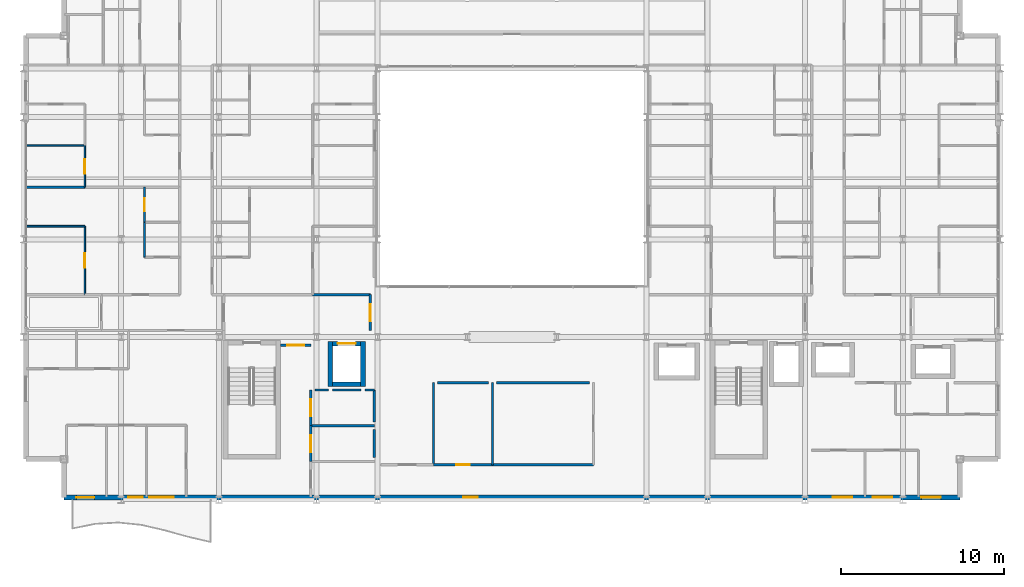
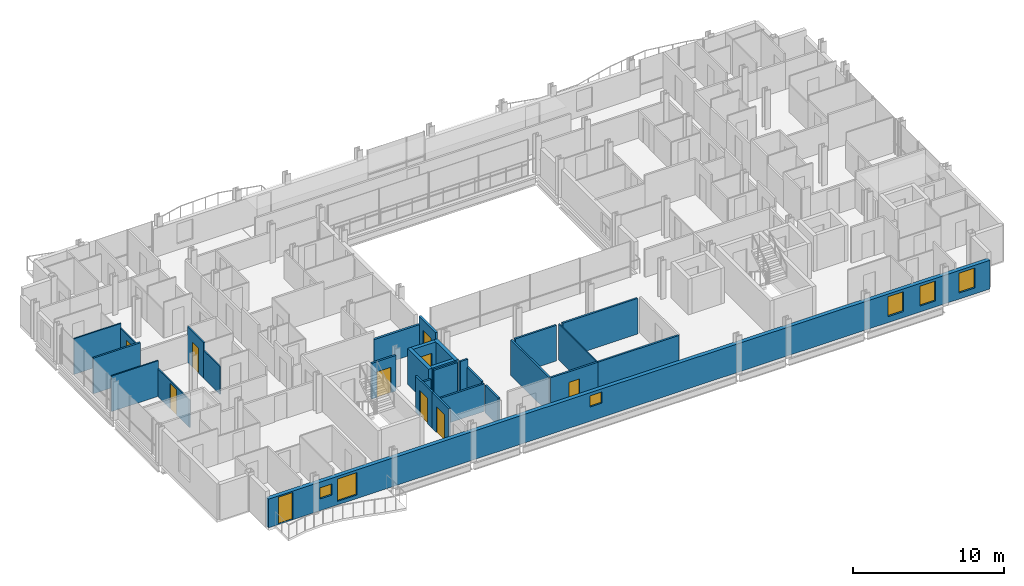
# One storey, part 32 of 40: 29 walls, 10 doors, 6 windows, 16 openings.
"""IFC4 building model written with IfcOpenShell, lengths in metres."""

from ifc_helpers import new_model, si_unit, direction, frame, frame_2d, origin, place, context, subcontext, project, spatial, rectangle, extrude, material, layer, layer_set, type_object, element, fill, save


model = new_model("IFC4")

# Units and contexts
model_context = context("Model", 3, precision=1e-05, world=origin(), true_north=direction((0.0, 1.0)))
body_context = subcontext(model_context, "Body", "Model", "MODEL_VIEW")
ifc_project = project(units=[si_unit("LENGTHUNIT", "METRE"), si_unit("AREAUNIT", "SQUARE_METRE"), si_unit("VOLUMEUNIT", "CUBIC_METRE"), si_unit("PLANEANGLEUNIT", "RADIAN"), si_unit("MASSUNIT", "GRAM", prefix="KILO")], contexts=[model_context])

# Site, building, storey
site_placement = place(None, origin())
site = spatial("IfcSite", under=ifc_project, at=site_placement, CompositionType="ELEMENT")
building_placement = place(site_placement, origin())
building = spatial("IfcBuilding", under=site, at=building_placement, Name="Brevholm Reach", CompositionType="ELEMENT")
storey_placement = place(building_placement, frame((0.0, 0.0, 80.699951171875)))
storey = spatial("IfcBuildingStorey", under=building, at=storey_placement, Name="L23", CompositionType="ELEMENT", Elevation=80.699951171875)

# Walls
ifc_material_1 = material(Name="Concrete C50/60", Category="concrete")
ifc_layer_1 = layer(ifc_material_1, 0.280029296875)
ifc_layer_set_1 = layer_set([ifc_layer_1], Name="Concrete C50/60")
wall_type_1 = type_object("IfcWallType", Name="WAL-COR-280", PredefinedType="SHEAR", material=ifc_layer_set_1)
for number, where, z_axis, x_axis, name in (
    (1, (18.85009765625, 6.9599609375, 0.0), (0.0, 0.0, 1.0), (0.0, 1.0, 0.0), "L23 Lift FFL-1 Shaft Wall W"),
    (2, (20.85009765625, 6.9599609375, 0.0), (0.0, 0.0, 1.0), (0.0, 1.0, 0.0), "L23 Lift FFL-1 Shaft Wall E"),
):
    element("IfcWall", number, at=place(storey_placement, frame(where, z_axis=z_axis, x_axis=x_axis)), inside=storey, type_object=wall_type_1, Name=name, PredefinedType="SHEAR", context=body_context, shape_type="SweptSolid", body=[
        extrude(rectangle(XDim=2.780029296875, YDim=0.280029296875, at=frame_2d((1.39013671875, 0.0))), origin(), (0.0, 0.0, 1.0), 2.8701171875),
    ])
wall_1_placement = place(storey_placement, frame((18.989990234375, 7.10009765625, 0.0), z_axis=(0.0, 0.0, 1.0), x_axis=(1.0, 0.0, 0.0)))
element("IfcWall", 3, at=wall_1_placement, inside=storey, type_object=wall_type_1, Name="L23 Lift FFL-1 Shaft Wall S", PredefinedType="SHEAR", context=body_context, shape_type="SweptSolid", body=[
    extrude(rectangle(XDim=1.719970703125, YDim=0.280029296875, at=frame_2d((0.85986328125, 0.0))), origin(), (0.0, 0.0, 1.0), 2.8701171875),
])

# Wall, opening, door
wall_2_placement = place(storey_placement, frame((18.989990234375, 9.60009765625, 0.0), z_axis=(0.0, 0.0, 1.0), x_axis=(1.0, 0.0, 0.0)))
wall_2 = element("IfcWall", 4, at=wall_2_placement, inside=storey, type_object=wall_type_1, Name="L23 Lift FFL-1 Shaft Wall N", PredefinedType="SHEAR", context=body_context, shape_type="SweptSolid", body=[
    extrude(rectangle(XDim=1.719970703125, YDim=0.280029296875, at=frame_2d((0.85986328125, 0.0))), origin(), (0.0, 0.0, 1.0), 2.8701171875),
])
opening_1_placement = place(wall_2_placement, frame((0.31005859375, 0.0, 0.0)))
opening_1 = element("IfcOpeningElement", 5, at=opening_1_placement, cuts=wall_2, Name="Opening LD-FFL-1", PredefinedType="OPENING", context=body_context, shape_type="SweptSolid", body=[
    extrude(rectangle(XDim=1.10009765625, YDim=2.06005859375, at=frame_2d((0.550048828125, 1.030029296875))), frame((0.0, 0.14990234375, 0.0), z_axis=(0.0, -1.0, 0.0), x_axis=(1.0, 0.0, 0.0)), (0.0, 0.0, 1.0), 0.300048828125),
])
ifc_material_2 = material(Name="Brushed Stainless Steel Fire-Rated Sliding Lift Door", Category="steel")
door_type_1 = type_object("IfcDoorType", Name="DOR-LFT-1100", OperationType="NOTDEFINED", PredefinedType="DOOR", material=ifc_material_2)
door_1_placement = place(opening_1_placement, origin())
door_1 = element("IfcDoor", 6, at=door_1_placement, inside=storey, type_object=door_type_1, Name="L23 Lift FFL-1 Sliding Landing Door", OperationType="SLIDING_TO_LEFT", OverallHeight=2.06005859375, OverallWidth=1.10009765625, PredefinedType="DOOR", context=body_context, shape_type="SweptSolid", body=[
    extrude(rectangle(XDim=1.10009765625, YDim=2.06005859375, at=frame_2d((0.550048828125, 1.030029296875))), frame((0.0, 0.02490234375, 0.0), z_axis=(0.0, -1.0, 0.0), x_axis=(1.0, 0.0, 0.0)), (0.0, 0.0, 1.0), 0.050048828125),
])
fill(opening_1, door_1)

# Wall, openings, door, windows
ifc_material_3 = material(Name="Concrete C40/50", Category="concrete")
ifc_layer_2 = layer(ifc_material_3, 0.300048828125)
ifc_layer_set_2 = layer_set([ifc_layer_2], Name="Concrete C40/50")
wall_type_2 = type_object("IfcWallType", Name="WAL-EXT-300", PredefinedType="STANDARD", material=ifc_layer_set_2)
wall_3_placement = place(storey_placement, frame((2.5, 0.14990234375, 0.0), z_axis=(0.0, 0.0, 1.0), x_axis=(1.0, 0.0, 0.0)))
wall_3 = element("IfcWall", 7, at=wall_3_placement, inside=storey, type_object=wall_type_2, Name="L23 Facade Wall WAL-L23-S", PredefinedType="STANDARD", context=body_context, shape_type="SweptSolid", body=[
    extrude(rectangle(XDim=55.0, YDim=0.300048828125, at=frame_2d((27.5, 0.0))), origin(), (0.0, 0.0, 1.0), 2.3056640625),
])
opening_2_placement = place(wall_3_placement, frame((0.75, 0.0, 0.0)))
opening_2 = element("IfcOpeningElement", 8, at=opening_2_placement, cuts=wall_3, Name="Opening BD-01", PredefinedType="OPENING", context=body_context, shape_type="SweptSolid", body=[
    extrude(rectangle(XDim=1.10009765625, YDim=2.199951171875, at=frame_2d((0.550048828125, 1.10009765625))), frame((0.0, 0.159912109375, 0.0), z_axis=(0.0, -1.0, 0.0), x_axis=(1.0, 0.0, 0.0)), (0.0, 0.0, 1.0), 0.320068359375),
])
opening_3_placement = place(wall_3_placement, frame((5.22998046875, 0.0, 0.284912109375)))
opening_3 = element("IfcOpeningElement", 9, at=opening_3_placement, cuts=wall_3, Name="Opening WN-05", PredefinedType="OPENING", context=body_context, shape_type="SweptSolid", body=[
    extrude(rectangle(XDim=1.5, YDim=1.800048828125, at=frame_2d((0.75, 0.89990234375))), frame((0.0, 0.159912109375, 0.0), z_axis=(0.0, -1.0, 0.0), x_axis=(1.0, 0.0, 0.0)), (0.0, 0.0, 1.0), 0.320068359375),
])
opening_4_placement = place(wall_3_placement, frame((24.5, 0.0, 1.14990234375)))
opening_4 = element("IfcOpeningElement", 10, at=opening_4_placement, cuts=wall_3, Name="Opening WN-09", PredefinedType="OPENING", context=body_context, shape_type="SweptSolid", body=[
    extrude(rectangle(XDim=0.89990234375, YDim=0.89990234375, at=frame_2d((0.449951171875, 0.449951171875))), frame((0.0, 0.159912109375, 0.0), z_axis=(0.0, -1.0, 0.0), x_axis=(1.0, 0.0, 0.0)), (0.0, 0.0, 1.0), 0.320068359375),
])
opening_5_placement = place(wall_3_placement, frame((47.199951171875, 0.0, 0.485107421875)))
opening_5 = element("IfcOpeningElement", 11, at=opening_5_placement, cuts=wall_3, Name="Opening WN-08", PredefinedType="OPENING", context=body_context, shape_type="SweptSolid", body=[
    extrude(rectangle(XDim=1.199951171875, YDim=1.60009765625, at=frame_2d((0.60009765625, 0.800048828125))), frame((0.0, 0.159912109375, 0.0), z_axis=(0.0, -1.0, 0.0), x_axis=(1.0, 0.0, 0.0)), (0.0, 0.0, 1.0), 0.320068359375),
])
opening_6_placement = place(wall_3_placement, frame((52.6298828125, 0.0, 0.485107421875)))
opening_6 = element("IfcOpeningElement", 12, at=opening_6_placement, cuts=wall_3, Name="Opening WN-08", PredefinedType="OPENING", context=body_context, shape_type="SweptSolid", body=[
    extrude(rectangle(XDim=1.199951171875, YDim=1.60009765625, at=frame_2d((0.60009765625, 0.800048828125))), frame((0.0, 0.159912109375, 0.0), z_axis=(0.0, -1.0, 0.0), x_axis=(1.0, 0.0, 0.0)), (0.0, 0.0, 1.0), 0.320068359375),
])
opening_7_placement = place(wall_3_placement, frame((3.923828125, 0.0, 0.949951171875)))
opening_7 = element("IfcOpeningElement", 13, at=opening_7_placement, cuts=wall_3, Name="Opening WN-09", PredefinedType="OPENING", context=body_context, shape_type="SweptSolid", body=[
    extrude(rectangle(XDim=0.89990234375, YDim=0.89990234375, at=frame_2d((0.449951171875, 0.449951171875))), frame((0.0, 0.159912109375, 0.0), z_axis=(0.0, -1.0, 0.0), x_axis=(1.0, 0.0, 0.0)), (0.0, 0.0, 1.0), 0.320068359375),
])
opening_8_placement = place(wall_3_placement, frame((49.638671875, 0.0, 0.485595703125)))
opening_8 = element("IfcOpeningElement", 14, at=opening_8_placement, cuts=wall_3, Name="Opening WN-08", PredefinedType="OPENING", context=body_context, shape_type="SweptSolid", body=[
    extrude(rectangle(XDim=1.199951171875, YDim=1.60009765625, at=frame_2d((0.60009765625, 0.800048828125))), frame((0.0, 0.159912109375, 0.0), z_axis=(0.0, -1.0, 0.0), x_axis=(1.0, 0.0, 0.0)), (0.0, 0.0, 1.0), 0.320068359375),
])
ifc_material_4 = material(Name="Dark Anodised Aluminium and Triple-Glazed Glass", Category="aluminium")
door_type_2 = type_object("IfcDoorType", Name="DOR-BALC-1100", OperationType="NOTDEFINED", PredefinedType="DOOR", material=ifc_material_4)
door_2_placement = place(opening_2_placement, origin())
door_2 = element("IfcDoor", 15, at=door_2_placement, inside=storey, type_object=door_type_2, Name="L23 Exterior Door DOR-L23-BL-SW", OperationType="SINGLE_SWING_RIGHT", OverallHeight=2.199951171875, OverallWidth=1.10009765625, PredefinedType="DOOR", context=body_context, shape_type="SweptSolid", body=[
    extrude(rectangle(XDim=1.10009765625, YDim=2.199951171875, at=frame_2d((0.550048828125, 1.10009765625))), frame((0.0, 0.02490234375, 0.0), z_axis=(0.0, -1.0, 0.0), x_axis=(1.0, 0.0, 0.0)), (0.0, 0.0, 1.0), 0.050048828125),
])
fill(opening_2, door_2)
ifc_material_5 = material(Name="Dark Anodised Aluminium and Solar-Control IGU Glass", Category="aluminium")
window_type_1 = type_object("IfcWindowType", Name="WIN-POR-0900", PartitioningType="SINGLE_PANEL", PredefinedType="WINDOW", material=ifc_material_5)
window_1_placement = place(opening_4_placement, origin())
window_1 = element("IfcWindow", 16, at=window_1_placement, inside=storey, type_object=window_type_1, Name="L23 Window WIN-L23-S-POR", OverallHeight=0.89990234375, OverallWidth=0.89990234375, PartitioningType="SINGLE_PANEL", PredefinedType="WINDOW", context=body_context, shape_type="SweptSolid", body=[
    extrude(rectangle(XDim=0.89990234375, YDim=0.89990234375, at=frame_2d((0.449951171875, 0.449951171875))), frame((0.0, 0.030029296875, 0.0), z_axis=(0.0, -1.0, 0.0), x_axis=(1.0, 0.0, 0.0)), (0.0, 0.0, 1.0), 0.06005859375),
])
fill(opening_4, window_1)
window_2_placement = place(opening_7_placement, origin())
window_2 = element("IfcWindow", 17, at=window_2_placement, inside=storey, type_object=window_type_1, Name="L23 Bedroom Window 026", OverallHeight=0.89990234375, OverallWidth=0.89990234375, PartitioningType="SINGLE_PANEL", PredefinedType="WINDOW", context=body_context, shape_type="SweptSolid", body=[
    extrude(rectangle(XDim=0.89990234375, YDim=0.89990234375, at=frame_2d((0.449951171875, 0.449951171875))), frame((0.0, 0.030029296875, 0.0), z_axis=(0.0, -1.0, 0.0), x_axis=(1.0, 0.0, 0.0)), (0.0, 0.0, 1.0), 0.06005859375),
])
fill(opening_7, window_2)
ifc_material_6 = material(Name="Dark Anodised Aluminium and Solar-Control IGU Glass", Category="aluminium")
window_type_2 = type_object("IfcWindowType", Name="WIN-RES-1200", PartitioningType="SINGLE_PANEL", PredefinedType="WINDOW", material=ifc_material_6)
window_3_placement = place(opening_5_placement, origin())
window_3 = element("IfcWindow", 18, at=window_3_placement, inside=storey, type_object=window_type_2, Name="L23 Window WIN-L23-S-E1", OverallHeight=1.60009765625, OverallWidth=1.199951171875, PartitioningType="SINGLE_PANEL", PredefinedType="WINDOW", context=body_context, shape_type="SweptSolid", body=[
    extrude(rectangle(XDim=1.199951171875, YDim=1.60009765625, at=frame_2d((0.60009765625, 0.800048828125))), frame((0.0, 0.030029296875, 0.0), z_axis=(0.0, -1.0, 0.0), x_axis=(1.0, 0.0, 0.0)), (0.0, 0.0, 1.0), 0.06005859375),
])
fill(opening_5, window_3)
window_4_placement = place(opening_6_placement, origin())
window_4 = element("IfcWindow", 19, at=window_4_placement, inside=storey, type_object=window_type_2, Name="L23 Window WIN-L23-S-E2", OverallHeight=1.60009765625, OverallWidth=1.199951171875, PartitioningType="SINGLE_PANEL", PredefinedType="WINDOW", context=body_context, shape_type="SweptSolid", body=[
    extrude(rectangle(XDim=1.199951171875, YDim=1.60009765625, at=frame_2d((0.60009765625, 0.800048828125))), frame((0.0, 0.030029296875, 0.0), z_axis=(0.0, -1.0, 0.0), x_axis=(1.0, 0.0, 0.0)), (0.0, 0.0, 1.0), 0.06005859375),
])
fill(opening_6, window_4)
window_5_placement = place(opening_8_placement, origin())
window_5 = element("IfcWindow", 20, at=window_5_placement, inside=storey, type_object=window_type_2, Name="L23 Bedroom Window 027", OverallHeight=1.60009765625, OverallWidth=1.199951171875, PartitioningType="SINGLE_PANEL", PredefinedType="WINDOW", context=body_context, shape_type="SweptSolid", body=[
    extrude(rectangle(XDim=1.199951171875, YDim=1.60009765625, at=frame_2d((0.60009765625, 0.800048828125))), frame((0.0, 0.030029296875, 0.0), z_axis=(0.0, -1.0, 0.0), x_axis=(1.0, 0.0, 0.0)), (0.0, 0.0, 1.0), 0.06005859375),
])
fill(opening_8, window_5)
ifc_material_7 = material(Name="Dark Anodised Aluminium and Solar-Control IGU Glass", Category="aluminium")
window_type_3 = type_object("IfcWindowType", Name="WIN-RES-1500", PartitioningType="SINGLE_PANEL", PredefinedType="WINDOW", material=ifc_material_7)
window_6_placement = place(opening_3_placement, origin())
window_6 = element("IfcWindow", 21, at=window_6_placement, inside=storey, type_object=window_type_3, Name="L23 Window WIN-L23-S-W1", OverallHeight=1.800048828125, OverallWidth=1.5, PartitioningType="SINGLE_PANEL", PredefinedType="WINDOW", context=body_context, shape_type="SweptSolid", body=[
    extrude(rectangle(XDim=1.5, YDim=1.800048828125, at=frame_2d((0.75, 0.89990234375))), frame((0.0, 0.030029296875, 0.0), z_axis=(0.0, -1.0, 0.0), x_axis=(1.0, 0.0, 0.0)), (0.0, 0.0, 1.0), 0.06005859375),
])
fill(opening_3, window_6)

# Wall
ifc_material_8 = material(Name="Moisture-Resistant Acoustic Gypsum Stud Partition 100 mm", Category="gypsum")
ifc_layer_3 = layer(ifc_material_8, 0.10009765625)
ifc_layer_set_3 = layer_set([ifc_layer_3], Name="Moisture-Resistant Acoustic Gypsum Stud Partition 100 mm")
wall_type_3 = type_object("IfcWallType", Name="WAL-PRT-100", PredefinedType="PARTITIONING", material=ifc_layer_set_3)
wall_4_placement = place(storey_placement, frame((28.800048828125, 2.154052734375, 0.0), z_axis=(0.0, 0.0, 1.0), x_axis=(0.0, 1.0, 0.0)))
element("IfcWall", 22, at=wall_4_placement, inside=storey, type_object=wall_type_3, Name="L23 Internal Partition 006", PredefinedType="PARTITIONING", context=body_context, shape_type="SweptSolid", body=[
    extrude(rectangle(XDim=5.0458984375, YDim=0.10009765625, at=frame_2d((2.52294921875, 0.0))), origin(), (0.0, 0.0, 1.0), 2.8701171875),
])

# Wall, opening, door
wall_5_placement = place(storey_placement, frame((7.43798828125, 17.050048828125, 0.0), z_axis=(0.0, 0.0, 1.0), x_axis=(0.0, 1.0, 0.0)))
wall_5 = element("IfcWall", 23, at=wall_5_placement, inside=storey, type_object=wall_type_3, Name="L23 Internal Partition 092", PredefinedType="PARTITIONING", context=body_context, shape_type="SweptSolid", body=[
    extrude(rectangle(XDim=2.14990234375, YDim=0.10009765625, at=frame_2d((1.074951171875, 0.0))), origin(), (0.0, 0.0, 1.0), 2.8701171875),
])
opening_9_placement = place(wall_5_placement, frame((0.6650390625, 0.0, 0.0)))
opening_9 = element("IfcOpeningElement", 24, at=opening_9_placement, cuts=wall_5, Name="Opening ID-03", PredefinedType="OPENING", context=body_context, shape_type="SweptSolid", body=[
    extrude(rectangle(XDim=0.820068359375, YDim=2.02001953125, at=frame_2d((0.41015625, 1.010009765625))), frame((0.0, 0.06005859375, 0.0), z_axis=(0.0, -1.0, 0.0), x_axis=(1.0, 0.0, 0.0)), (0.0, 0.0, 1.0), 0.1201171875),
])
ifc_material_9 = material(Name="Moisture-Resistant Painted Timber Internal Bathroom Door", Category="wood")
door_type_3 = type_object("IfcDoorType", Name="DOR-BATH-820", OperationType="NOTDEFINED", PredefinedType="DOOR", material=ifc_material_9)
door_3_placement = place(opening_9_placement, origin())
door_3 = element("IfcDoor", 25, at=door_3_placement, inside=storey, type_object=door_type_3, Name="L23 Internal Door 036", OperationType="SINGLE_SWING_LEFT", OverallHeight=2.02001953125, OverallWidth=0.820068359375, PredefinedType="DOOR", context=body_context, shape_type="SweptSolid", body=[
    extrude(rectangle(XDim=0.820068359375, YDim=2.02001953125, at=frame_2d((0.41015625, 1.010009765625))), frame((0.0, 0.02490234375, 0.0), z_axis=(0.0, -1.0, 0.0), x_axis=(1.0, 0.0, 0.0)), (0.0, 0.0, 1.0), 0.050048828125),
])
fill(opening_9, door_3)

# Wall
wall_6_placement = place(storey_placement, frame((7.43798828125, 14.89990234375, 0.0), z_axis=(0.0, 0.0, 1.0), x_axis=(0.0, 1.0, 0.0)))
element("IfcWall", 26, at=wall_6_placement, inside=storey, type_object=wall_type_3, Name="L23 Internal Partition 095", PredefinedType="PARTITIONING", context=body_context, shape_type="SweptSolid", body=[
    extrude(rectangle(XDim=2.14599609375, YDim=0.10009765625, at=frame_2d((1.072998046875, 0.0))), origin(), (0.0, 0.0, 1.0), 2.224853515625),
])

# Wall, opening, door
wall_7_placement = place(storey_placement, frame((3.77197265625, 12.60400390625, 0.0), z_axis=(0.0, 0.0, 1.0), x_axis=(0.0, 1.0, 0.0)))
wall_7 = element("IfcWall", 27, at=wall_7_placement, inside=storey, type_object=wall_type_3, Name="L23 Internal Partition 096", PredefinedType="PARTITIONING", context=body_context, shape_type="SweptSolid", body=[
    extrude(rectangle(XDim=4.196044921875, YDim=0.10009765625, at=frame_2d((2.09814453125, 0.0))), origin(), (0.0, 0.0, 1.0), 2.224853515625),
])
opening_10_placement = place(wall_7_placement, frame((1.657958984375, 0.0, 0.0)))
opening_10 = element("IfcOpeningElement", 28, at=opening_10_placement, cuts=wall_7, Name="Opening ID-01", PredefinedType="OPENING", context=body_context, shape_type="SweptSolid", body=[
    extrude(rectangle(XDim=0.8798828125, YDim=2.0400390625, at=frame_2d((0.43994140625, 1.02001953125))), frame((0.0, 0.06005859375, 0.0), z_axis=(0.0, -1.0, 0.0), x_axis=(1.0, 0.0, 0.0)), (0.0, 0.0, 1.0), 0.1201171875),
])
ifc_material_10 = material(Name="Lacquered Ash Solid-Core Acoustic Internal Door", Category="timber")
door_type_4 = type_object("IfcDoorType", Name="DOR-INT-880", OperationType="NOTDEFINED", PredefinedType="DOOR", material=ifc_material_10)
door_4_placement = place(opening_10_placement, origin())
door_4 = element("IfcDoor", 29, at=door_4_placement, inside=storey, type_object=door_type_4, Name="L23 Internal Door 038", OperationType="SINGLE_SWING_LEFT", OverallHeight=2.0400390625, OverallWidth=0.8798828125, PredefinedType="DOOR", context=body_context, shape_type="SweptSolid", body=[
    extrude(rectangle(XDim=0.8798828125, YDim=2.0400390625, at=frame_2d((0.43994140625, 1.02001953125))), frame((0.0, 0.02490234375, 0.0), z_axis=(0.0, -1.0, 0.0), x_axis=(1.0, 0.0, 0.0)), (0.0, 0.0, 1.0), 0.050048828125),
])
fill(opening_10, door_4)

# Walls
for number, where, z_axis, x_axis, name in (
    (30, (0.199951171875, 16.800048828125, 0.0), (0.0, 0.0, 1.0), (1.0, 0.0, 0.0), "L23 Internal Partition 097"),
    (31, (0.199951171875, 21.75, 0.0), (0.0, 0.0, 1.0), (1.0, 0.0, 0.0), "L23 Internal Partition 105"),
):
    element("IfcWall", number, at=place(storey_placement, frame(where, z_axis=z_axis, x_axis=x_axis)), inside=storey, type_object=wall_type_3, Name=name, PredefinedType="PARTITIONING", context=body_context, shape_type="SweptSolid", body=[
        extrude(rectangle(XDim=3.572021484375, YDim=0.10009765625, at=frame_2d((1.7861328125, 0.0))), origin(), (0.0, 0.0, 1.0), 2.8701171875),
    ])

# Wall, opening, door
wall_8_placement = place(storey_placement, frame((3.77197265625, 19.2041015625, 0.0), z_axis=(0.0, 0.0, 1.0), x_axis=(0.0, 1.0, 0.0)))
wall_8 = element("IfcWall", 32, at=wall_8_placement, inside=storey, type_object=wall_type_3, Name="L23 Internal Partition 106", PredefinedType="PARTITIONING", context=body_context, shape_type="SweptSolid", body=[
    extrude(rectangle(XDim=2.5458984375, YDim=0.10009765625, at=frame_2d((1.27294921875, 0.0))), origin(), (0.0, 0.0, 1.0), 2.489990234375),
])
opening_11_placement = place(wall_8_placement, frame((0.8330078125, 0.0, 0.0)))
opening_11 = element("IfcOpeningElement", 33, at=opening_11_placement, cuts=wall_8, Name="Opening ID-01", PredefinedType="OPENING", context=body_context, shape_type="SweptSolid", body=[
    extrude(rectangle(XDim=0.8798828125, YDim=2.0400390625, at=frame_2d((0.43994140625, 1.02001953125))), frame((0.0, 0.06005859375, 0.0), z_axis=(0.0, -1.0, 0.0), x_axis=(1.0, 0.0, 0.0)), (0.0, 0.0, 1.0), 0.1201171875),
])
door_5_placement = place(opening_11_placement, origin())
door_5 = element("IfcDoor", 34, at=door_5_placement, inside=storey, type_object=door_type_4, Name="L23 Internal Door 041", OperationType="SINGLE_SWING_RIGHT", OverallHeight=2.0400390625, OverallWidth=0.8798828125, PredefinedType="DOOR", context=body_context, shape_type="SweptSolid", body=[
    extrude(rectangle(XDim=0.8798828125, YDim=2.0400390625, at=frame_2d((0.43994140625, 1.02001953125))), frame((0.0, 0.02490234375, 0.0), z_axis=(0.0, -1.0, 0.0), x_axis=(1.0, 0.0, 0.0)), (0.0, 0.0, 1.0), 0.050048828125),
])
fill(opening_11, door_5)

ifc_material_11 = material(Name="Twin-Stud Acoustic Fire-Rated Gypsum Partition 140 mm", Category="gypsum")
ifc_layer_4 = layer(ifc_material_11, 0.139892578125)
ifc_layer_set_4 = layer_set([ifc_layer_4], Name="Twin-Stud Acoustic Fire-Rated Gypsum Partition 140 mm")
wall_type_4 = type_object("IfcWallType", Name="WAL-PRT-140", PredefinedType="PARTITIONING", material=ifc_layer_set_4)
wall_9_placement = place(storey_placement, frame((25.172607421875, 2.14990234375, 0.0), z_axis=(0.0, 0.0, 1.0), x_axis=(1.0, 0.0, 0.0)))
wall_9 = element("IfcWall", 35, at=wall_9_placement, inside=storey, type_object=wall_type_4, Name="L23 Internal Partition 003", PredefinedType="PARTITIONING", context=body_context, shape_type="SweptSolid", body=[
    extrude(rectangle(XDim=3.638671875, YDim=0.139892578125, at=frame_2d((1.8193359375, 0.0))), origin(), (0.0, 0.0, 1.0), 2.8701171875),
])
opening_12_placement = place(wall_9_placement, frame((1.4091796875, 0.0, 0.0)))
opening_12 = element("IfcOpeningElement", 36, at=opening_12_placement, cuts=wall_9, Name="Opening ID-02", PredefinedType="OPENING", context=body_context, shape_type="SweptSolid", body=[
    extrude(rectangle(XDim=0.820068359375, YDim=2.02001953125, at=frame_2d((0.41015625, 1.010009765625))), frame((0.0, 0.079833984375, 0.0), z_axis=(0.0, -1.0, 0.0), x_axis=(1.0, 0.0, 0.0)), (0.0, 0.0, 1.0), 0.159912109375),
])
ifc_material_12 = material(Name="Moisture-Resistant Painted Timber Fire-Rated Riser and Service Door", Category="wood")
door_type_5 = type_object("IfcDoorType", Name="DOR-SRV-820", OperationType="NOTDEFINED", PredefinedType="DOOR", material=ifc_material_12)
door_6_placement = place(opening_12_placement, origin())
door_6 = element("IfcDoor", 37, at=door_6_placement, inside=storey, type_object=door_type_5, Name="L23 Internal Door 003", OperationType="SINGLE_SWING_RIGHT", OverallHeight=2.02001953125, OverallWidth=0.820068359375, PredefinedType="DOOR", context=body_context, shape_type="SweptSolid", body=[
    extrude(rectangle(XDim=0.820068359375, YDim=2.02001953125, at=frame_2d((0.41015625, 1.010009765625))), frame((0.0, 0.02490234375, 0.0), z_axis=(0.0, -1.0, 0.0), x_axis=(1.0, 0.0, 0.0)), (0.0, 0.0, 1.0), 0.050048828125),
])
fill(opening_12, door_6)

# Walls
wall_10_placement = place(storey_placement, frame((28.792724609375, 2.14990234375, 0.0), z_axis=(0.0, 0.0, 1.0), x_axis=(1.0, 0.0, 0.0)))
element("IfcWall", 38, at=wall_10_placement, inside=storey, type_object=wall_type_4, Name="L23 Internal Partition 004", PredefinedType="PARTITIONING", context=body_context, shape_type="SweptSolid", body=[
    extrude(rectangle(XDim=6.203369140625, YDim=0.139892578125, at=frame_2d((3.1015625, 0.0))), origin(), (0.0, 0.0, 1.0), 2.8701171875),
])
wall_11_placement = place(storey_placement, frame((25.179931640625, 2.154052734375, 0.0), z_axis=(0.0, 0.0, 1.0), x_axis=(0.0, 1.0, 0.0)))
element("IfcWall", 39, at=wall_11_placement, inside=storey, type_object=wall_type_4, Name="L23 Internal Partition 005", PredefinedType="PARTITIONING", context=body_context, shape_type="SweptSolid", body=[
    extrude(rectangle(XDim=5.0458984375, YDim=0.139892578125, at=frame_2d((2.52294921875, 0.0))), origin(), (0.0, 0.0, 1.0), 2.8701171875),
])

# Wall, opening, door
wall_12_placement = place(storey_placement, frame((17.64990234375, 2.3427734375, 0.0), z_axis=(0.0, 0.0, 1.0), x_axis=(0.0, 1.0, 0.0)))
wall_12 = element("IfcWall", 40, at=wall_12_placement, inside=storey, type_object=wall_type_4, Name="L23 Internal Partition 008", PredefinedType="PARTITIONING", context=body_context, shape_type="SweptSolid", body=[
    extrude(rectangle(XDim=2.218505859375, YDim=0.139892578125, at=frame_2d((1.109375, 0.0))), origin(), (0.0, 0.0, 1.0), 2.8701171875),
])
opening_13_placement = place(wall_12_placement, frame((0.584228515625, 0.0, 0.0)))
opening_13 = element("IfcOpeningElement", 41, at=opening_13_placement, cuts=wall_12, Name="Opening FD-01", PredefinedType="OPENING", context=body_context, shape_type="SweptSolid", body=[
    extrude(rectangle(XDim=1.050048828125, YDim=2.06005859375, at=frame_2d((0.52490234375, 1.030029296875))), frame((0.0, 0.079833984375, 0.0), z_axis=(0.0, -1.0, 0.0), x_axis=(1.0, 0.0, 0.0)), (0.0, 0.0, 1.0), 0.159912109375),
])
ifc_material_13 = material(Name="Hardwood-Lipped Steel-Core Fire and Smoke Door", Category="steel")
door_type_6 = type_object("IfcDoorType", Name="DOR-INT-FD60S", OperationType="NOTDEFINED", PredefinedType="DOOR", material=ifc_material_13)
door_7_placement = place(opening_13_placement, origin())
door_7 = element("IfcDoor", 42, at=door_7_placement, inside=storey, type_object=door_type_6, Name="L23 Internal Door 005", OperationType="SINGLE_SWING_RIGHT", OverallHeight=2.06005859375, OverallWidth=1.050048828125, PredefinedType="DOOR", context=body_context, shape_type="SweptSolid", body=[
    extrude(rectangle(XDim=1.050048828125, YDim=2.06005859375, at=frame_2d((0.52490234375, 1.030029296875))), frame((0.0, 0.02490234375, 0.0), z_axis=(0.0, -1.0, 0.0), x_axis=(1.0, 0.0, 0.0)), (0.0, 0.0, 1.0), 0.050048828125),
])
fill(opening_13, door_7)

wall_13_placement = place(storey_placement, frame((17.64990234375, 4.542724609375, 0.0), z_axis=(0.0, 0.0, 1.0), x_axis=(0.0, 1.0, 0.0)))
wall_13 = element("IfcWall", 43, at=wall_13_placement, inside=storey, type_object=wall_type_4, Name="L23 Internal Partition 009", PredefinedType="PARTITIONING", context=body_context, shape_type="SweptSolid", body=[
    extrude(rectangle(XDim=2.218505859375, YDim=0.139892578125, at=frame_2d((1.109375, 0.0))), origin(), (0.0, 0.0, 1.0), 2.8701171875),
])
opening_14_placement = place(wall_13_placement, frame((0.584228515625, 0.0, 0.0)))
opening_14 = element("IfcOpeningElement", 44, at=opening_14_placement, cuts=wall_13, Name="Opening FD-01", PredefinedType="OPENING", context=body_context, shape_type="SweptSolid", body=[
    extrude(rectangle(XDim=1.050048828125, YDim=2.06005859375, at=frame_2d((0.52490234375, 1.030029296875))), frame((0.0, 0.079833984375, 0.0), z_axis=(0.0, -1.0, 0.0), x_axis=(1.0, 0.0, 0.0)), (0.0, 0.0, 1.0), 0.159912109375),
])
door_8_placement = place(opening_14_placement, origin())
door_8 = element("IfcDoor", 45, at=door_8_placement, inside=storey, type_object=door_type_6, Name="L23 Internal Door 006", OperationType="SINGLE_SWING_LEFT", OverallHeight=2.06005859375, OverallWidth=1.050048828125, PredefinedType="DOOR", context=body_context, shape_type="SweptSolid", body=[
    extrude(rectangle(XDim=1.050048828125, YDim=2.06005859375, at=frame_2d((0.52490234375, 1.030029296875))), frame((0.0, 0.02490234375, 0.0), z_axis=(0.0, -1.0, 0.0), x_axis=(1.0, 0.0, 0.0)), (0.0, 0.0, 1.0), 0.050048828125),
])
fill(opening_14, door_8)

# Walls
wall_14_placement = place(storey_placement, frame((17.654052734375, 4.550048828125, 0.0), z_axis=(0.0, 0.0, 1.0), x_axis=(1.0, 0.0, 0.0)))
element("IfcWall", 46, at=wall_14_placement, inside=storey, type_object=wall_type_4, Name="L23 Internal Partition 012", PredefinedType="PARTITIONING", context=body_context, shape_type="SweptSolid", body=[
    extrude(rectangle(XDim=3.89599609375, YDim=0.139892578125, at=frame_2d((1.947998046875, 0.0))), origin(), (0.0, 0.0, 1.0), 2.224853515625),
])
wall_15_placement = place(storey_placement, frame((0.199951171875, 19.199951171875, 0.0), z_axis=(0.0, 0.0, 1.0), x_axis=(1.0, 0.0, 0.0)))
element("IfcWall", 47, at=wall_15_placement, inside=storey, type_object=wall_type_4, Name="L23 Internal Partition 098", PredefinedType="PARTITIONING", context=body_context, shape_type="SweptSolid", body=[
    extrude(rectangle(XDim=3.583251953125, YDim=0.139892578125, at=frame_2d((1.79150390625, 0.0))), origin(), (0.0, 0.0, 1.0), 2.8701171875),
])
wall_16_placement = place(storey_placement, frame((25.419921875, 7.199951171875, 0.0), z_axis=(0.0, 0.0, 1.0), x_axis=(1.0, 0.0, 0.0)))
element("IfcWall", 48, at=wall_16_placement, inside=storey, type_object=wall_type_4, Name="L23 Internal Partition 181", PredefinedType="PARTITIONING", context=body_context, shape_type="SweptSolid", body=[
    extrude(rectangle(XDim=3.14013671875, YDim=0.139892578125, at=frame_2d((1.570068359375, 0.0))), origin(), (0.0, 0.0, 1.0), 2.8701171875),
])
wall_17_placement = place(storey_placement, frame((29.0400390625, 7.199951171875, 0.0), z_axis=(0.0, 0.0, 1.0), x_axis=(1.0, 0.0, 0.0)))
element("IfcWall", 49, at=wall_17_placement, inside=storey, type_object=wall_type_4, Name="L23 Internal Partition 182", PredefinedType="PARTITIONING", context=body_context, shape_type="SweptSolid", body=[
    extrude(rectangle(XDim=5.719970703125, YDim=0.139892578125, at=frame_2d((2.85986328125, 0.0))), origin(), (0.0, 0.0, 1.0), 2.8701171875),
])
wall_18_placement = place(storey_placement, frame((21.550048828125, 2.590087890625, 0.0), z_axis=(0.0, 0.0, 1.0), x_axis=(0.0, 1.0, 0.0)))
element("IfcWall", 50, at=wall_18_placement, inside=storey, type_object=wall_type_4, Name="L23 Internal Partition 183", PredefinedType="PARTITIONING", context=body_context, shape_type="SweptSolid", body=[
    extrude(rectangle(XDim=1.719970703125, YDim=0.139892578125, at=frame_2d((0.85986328125, 0.0))), origin(), (0.0, 0.0, 1.0), 2.224853515625),
])
wall_19_placement = place(storey_placement, frame((21.550048828125, 4.7900390625, 0.0), z_axis=(0.0, 0.0, 1.0), x_axis=(0.0, 1.0, 0.0)))
element("IfcWall", 51, at=wall_19_placement, inside=storey, type_object=wall_type_4, Name="L23 Internal Partition 184", PredefinedType="PARTITIONING", context=body_context, shape_type="SweptSolid", body=[
    extrude(rectangle(XDim=1.9599609375, YDim=0.139892578125, at=frame_2d((0.97998046875, 0.0))), origin(), (0.0, 0.0, 1.0), 2.224853515625),
])
wall_20_placement = place(storey_placement, frame((20.9658203125, 6.75, 0.0), z_axis=(0.0, 0.0, 1.0), x_axis=(1.0, 0.0, 0.0)))
element("IfcWall", 52, at=wall_20_placement, inside=storey, type_object=wall_type_4, Name="L23 Internal Partition 185", PredefinedType="PARTITIONING", context=body_context, shape_type="SweptSolid", body=[
    extrude(rectangle(XDim=0.584228515625, YDim=0.139892578125, at=frame_2d((0.2919921875, 0.0))), origin(), (0.0, 0.0, 1.0), 2.8701171875),
])
wall_21_placement = place(storey_placement, frame((18.9658203125, 6.75, 0.0), z_axis=(0.0, 0.0, 1.0), x_axis=(1.0, 0.0, 0.0)))
element("IfcWall", 53, at=wall_21_placement, inside=storey, type_object=wall_type_4, Name="L23 Internal Partition 186", PredefinedType="PARTITIONING", context=body_context, shape_type="SweptSolid", body=[
    extrude(rectangle(XDim=1.768310546875, YDim=0.139892578125, at=frame_2d((0.88427734375, 0.0))), origin(), (0.0, 0.0, 1.0), 2.8701171875),
])
wall_22_placement = place(storey_placement, frame((17.889892578125, 6.75, 0.0), z_axis=(0.0, 0.0, 1.0), x_axis=(1.0, 0.0, 0.0)))
element("IfcWall", 54, at=wall_22_placement, inside=storey, type_object=wall_type_4, Name="L23 Internal Partition 187", PredefinedType="PARTITIONING", context=body_context, shape_type="SweptSolid", body=[
    extrude(rectangle(XDim=0.84423828125, YDim=0.139892578125, at=frame_2d((0.422119140625, 0.0))), origin(), (0.0, 0.0, 1.0), 2.224853515625),
])

# Wall, opening, door
ifc_material_14 = material(Name="Twin-Frame Fire-Rated Gypsum Board and Mineral Wool 160 mm", Category="gypsum")
ifc_layer_5 = layer(ifc_material_14, 0.159912109375)
ifc_layer_set_5 = layer_set([ifc_layer_5], Name="Twin-Frame Fire-Rated Gypsum Board and Mineral Wool 160 mm")
wall_type_5 = type_object("IfcWallType", Name="WAL-PRT-160", PredefinedType="PARTITIONING", material=ifc_layer_set_5)
wall_23_placement = place(storey_placement, frame((15.800048828125, 9.5, 0.0), z_axis=(0.0, 0.0, 1.0), x_axis=(1.0, 0.0, 0.0)))
wall_23 = element("IfcWall", 55, at=wall_23_placement, inside=storey, type_object=wall_type_5, Name="L23 Internal Partition 010", PredefinedType="PARTITIONING", context=body_context, shape_type="SweptSolid", body=[
    extrude(rectangle(XDim=1.849853515625, YDim=0.159912109375, at=frame_2d((0.9248046875, 0.0))), origin(), (0.0, 0.0, 1.0), 2.8701171875),
])
opening_15_placement = place(wall_23_placement, frame((0.39990234375, 0.0, 0.0)))
opening_15 = element("IfcOpeningElement", 56, at=opening_15_placement, cuts=wall_23, Name="Opening FD-01", PredefinedType="OPENING", context=body_context, shape_type="SweptSolid", body=[
    extrude(rectangle(XDim=1.050048828125, YDim=2.06005859375, at=frame_2d((0.52490234375, 1.030029296875))), frame((0.0, 0.08984375, 0.0), z_axis=(0.0, -1.0, 0.0), x_axis=(1.0, 0.0, 0.0)), (0.0, 0.0, 1.0), 0.179931640625),
])
door_9_placement = place(opening_15_placement, origin())
door_9 = element("IfcDoor", 57, at=door_9_placement, inside=storey, type_object=door_type_6, Name="L23 Internal Door 007", OperationType="SINGLE_SWING_RIGHT", OverallHeight=2.06005859375, OverallWidth=1.050048828125, PredefinedType="DOOR", context=body_context, shape_type="SweptSolid", body=[
    extrude(rectangle(XDim=1.050048828125, YDim=2.06005859375, at=frame_2d((0.52490234375, 1.030029296875))), frame((0.0, 0.02490234375, 0.0), z_axis=(0.0, -1.0, 0.0), x_axis=(1.0, 0.0, 0.0)), (0.0, 0.0, 1.0), 0.050048828125),
])
fill(opening_15, door_9)

wall_24_placement = place(storey_placement, frame((21.300048828125, 10.388671875, 0.0), z_axis=(0.0, 0.0, 1.0), x_axis=(0.0, 1.0, 0.0)))
wall_24 = element("IfcWall", 58, at=wall_24_placement, inside=storey, type_object=wall_type_5, Name="L23 Internal Partition 018", PredefinedType="PARTITIONING", context=body_context, shape_type="SweptSolid", body=[
    extrude(rectangle(XDim=2.21142578125, YDim=0.159912109375, at=frame_2d((1.105712890625, 0.0))), origin(), (0.0, 0.0, 1.0), 2.8701171875),
])
opening_16_placement = place(wall_24_placement, frame((0.58056640625, 0.0, 0.0)))
opening_16 = element("IfcOpeningElement", 59, at=opening_16_placement, cuts=wall_24, Name="Opening FD-01", PredefinedType="OPENING", context=body_context, shape_type="SweptSolid", body=[
    extrude(rectangle(XDim=1.050048828125, YDim=2.06005859375, at=frame_2d((0.52490234375, 1.030029296875))), frame((0.0, 0.08984375, 0.0), z_axis=(0.0, -1.0, 0.0), x_axis=(1.0, 0.0, 0.0)), (0.0, 0.0, 1.0), 0.179931640625),
])
door_10_placement = place(opening_16_placement, origin())
door_10 = element("IfcDoor", 60, at=door_10_placement, inside=storey, type_object=door_type_6, Name="L23 Internal Door 012", OperationType="SINGLE_SWING_LEFT", OverallHeight=2.06005859375, OverallWidth=1.050048828125, PredefinedType="DOOR", context=body_context, shape_type="SweptSolid", body=[
    extrude(rectangle(XDim=1.050048828125, YDim=2.06005859375, at=frame_2d((0.52490234375, 1.030029296875))), frame((0.0, 0.02490234375, 0.0), z_axis=(0.0, -1.0, 0.0), x_axis=(1.0, 0.0, 0.0)), (0.0, 0.0, 1.0), 0.050048828125),
])
fill(opening_16, door_10)

# Wall
wall_25_placement = place(storey_placement, frame((17.7578125, 12.60009765625, 0.0), z_axis=(0.0, 0.0, 1.0), x_axis=(1.0, 0.0, 0.0)))
element("IfcWall", 61, at=wall_25_placement, inside=storey, type_object=wall_type_5, Name="L23 Internal Partition 020", PredefinedType="PARTITIONING", context=body_context, shape_type="SweptSolid", body=[
    extrude(rectangle(XDim=3.542236328125, YDim=0.159912109375, at=frame_2d((1.77099609375, 0.0))), origin(), (0.0, 0.0, 1.0), 2.224853515625),
])

save(model, "model.ifc")
